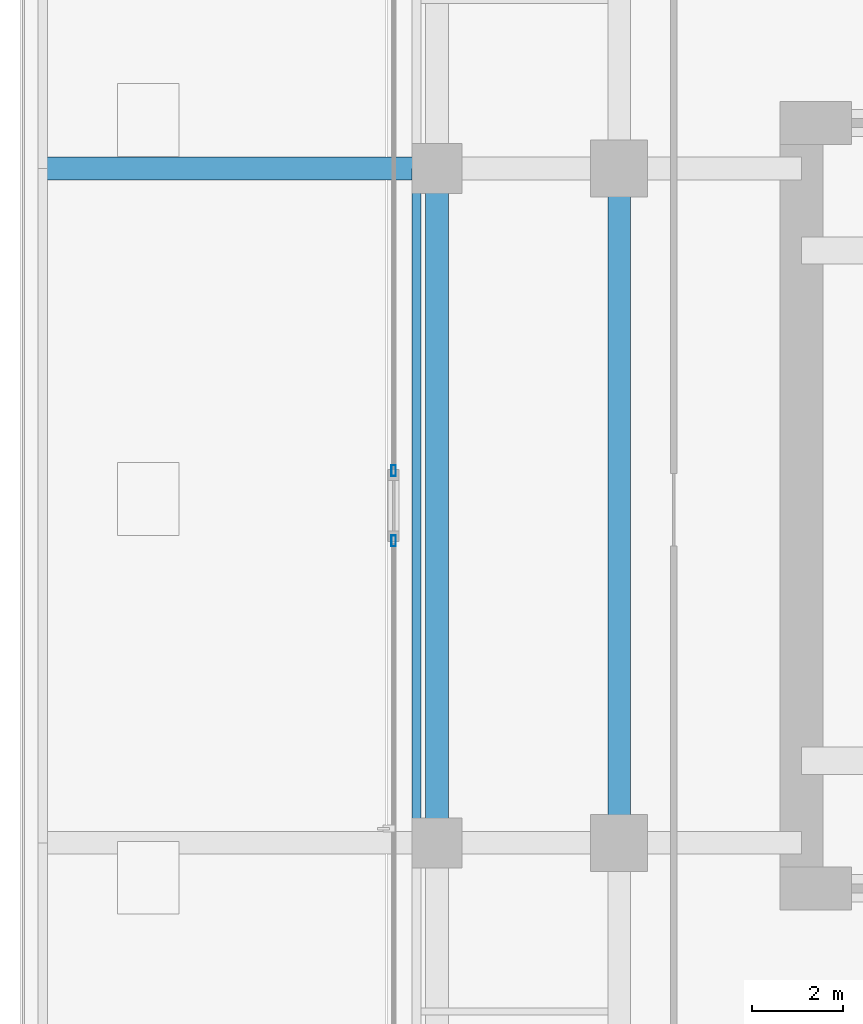
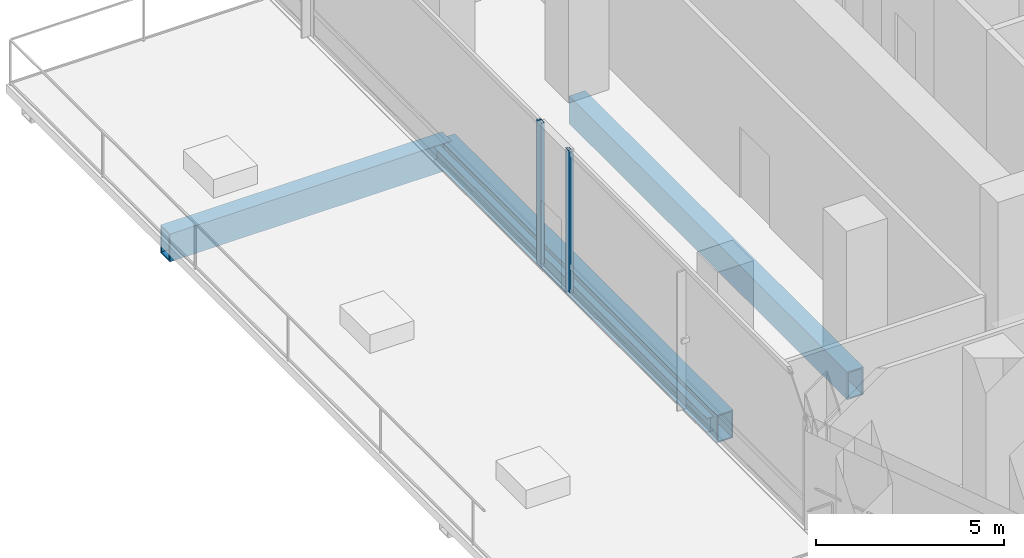
# One storey, part 5 of 28: 4 beams, 2 members, 2 elements without a shape of their own.
"""IFC4 building model written with IfcOpenShell, lengths in metres."""

import ifcopenshell
import ifcopenshell.guid

model = None  # the IFC model being written
_history = None  # IfcOwnerHistory: only IFC2X3 demands one
_inside = {}  # id of a spatial element -> (the spatial element, [elements in it])
_under = {}  # id of a project, library or spatial element -> (it, [spatial elements below it])
_declared = {}  # id of a project -> (the project, [libraries it declares])
_typed = {}  # id of a type object -> (the type object, [elements of that type])
_made_of = {}  # id of a material, layer set ... -> (it, [elements and type objects made of it])


def new_model(schema):
    """Start an empty IFC model of exactly this schema.

    Asked for "IFC4X3", IfcOpenShell would pick the latest addendum, in which some entities
    have other attributes; the version numbers below select the first issue.
    IFC2X3 requires an IfcOwnerHistory on every rooted entity: one is made here for all.
    """
    global model, _history
    if schema == "IFC4X3":
        model = ifcopenshell.file(schema_version=(4, 3, 0, 0))
    else:
        model = ifcopenshell.file(schema=schema)
    _inside.clear()
    _under.clear()
    _declared.clear()
    _typed.clear()
    _made_of.clear()
    _history = None
    if model.schema == "IFC2X3":
        org = make("IfcOrganization", Name="unknown")
        user = make(
            "IfcPersonAndOrganization",
            ThePerson=make("IfcPerson", FamilyName="unknown"),
            TheOrganization=org,
        )
        app = make(
            "IfcApplication",
            ApplicationDeveloper=org,
            Version="unknown",
            ApplicationFullName="unknown",
            ApplicationIdentifier="unknown",
        )
        _history = make(
            "IfcOwnerHistory",
            OwningUser=user,
            OwningApplication=app,
            ChangeAction="ADDED",
            CreationDate=0,
        )
    return model


def make(cls, **values):
    """One entity of the class cls with the attributes given. An attribute that is None is left unset."""
    return model.create_entity(
        cls, **{name: value for name, value in values.items() if value is not None}
    )


def rooted(cls, **values):
    """An entity with a GlobalId (a new one), such as an element, a storey or a relation."""
    return make(cls, GlobalId=ifcopenshell.guid.new(), OwnerHistory=_history, **values)


def si_unit(unit_type, name, prefix=None):
    """IfcSIUnit, for example si_unit("LENGTHUNIT", "METRE", prefix="MILLI")."""
    return make("IfcSIUnit", UnitType=unit_type, Prefix=prefix, Name=name)


def assignment(units):
    """IfcUnitAssignment: the units of a project."""
    return None if units is None else make("IfcUnitAssignment", Units=units)


def point(xyz):
    """IfcCartesianPoint."""
    return None if xyz is None else make("IfcCartesianPoint", Coordinates=xyz)


def direction(xyz):
    """IfcDirection."""
    return None if xyz is None else make("IfcDirection", DirectionRatios=xyz)


def frame(location, z_axis=None, x_axis=None):
    """IfcAxis2Placement3D, a coordinate frame: its origin and axes. An axis left out is left unset."""
    return make(
        "IfcAxis2Placement3D",
        Location=point(location),
        Axis=direction(z_axis),
        RefDirection=direction(x_axis),
    )


def frame_2d(location, x_axis=None):
    """IfcAxis2Placement2D, a coordinate frame in the plane: its origin and x axis."""
    return make(
        "IfcAxis2Placement2D", Location=point(location), RefDirection=direction(x_axis)
    )


def origin():
    """The frame at (0, 0, 0) with its axes left unset."""
    return frame((0.0, 0.0, 0.0))


def origin_2d():
    """The frame at (0, 0) in the plane with its x axis left unset."""
    return frame_2d((0.0, 0.0))


def place(relative_to, where):
    """IfcLocalPlacement: puts the frame where relative to a parent placement (None: the world)."""
    return make(
        "IfcLocalPlacement", PlacementRelTo=relative_to, RelativePlacement=where
    )


def context(
    kind, dimensions, precision=None, world=None, true_north=None, identifier=None
):
    """IfcGeometricRepresentationContext, for example the 3D "Model" context."""
    return make(
        "IfcGeometricRepresentationContext",
        ContextIdentifier=identifier,
        ContextType=kind,
        CoordinateSpaceDimension=dimensions,
        Precision=precision,
        WorldCoordinateSystem=world,
        TrueNorth=true_north,
    )


def subcontext(parent, identifier, kind, view, scale=None):
    """IfcGeometricRepresentationSubContext, for example "Body" below "Model"."""
    return make(
        "IfcGeometricRepresentationSubContext",
        ContextIdentifier=identifier,
        ContextType=kind,
        ParentContext=parent,
        TargetScale=scale,
        TargetView=view,
    )


def project(units=None, contexts=None):
    """IfcProject with its units and contexts."""
    return rooted(
        "IfcProject",
        Name="project",
        RepresentationContexts=contexts,
        UnitsInContext=assignment(units),
    )


def spatial(cls, under=None, at=None, **own):
    """A site, building, storey or space (cls), placed at a placement, below another one or the project."""
    s = rooted(cls, ObjectPlacement=at, **own)
    if under is not None:
        _under.setdefault(under.id(), (under, []))[1].append(s)
    return s


def profile(cls, at=None, kind="AREA", **sizes):
    """A parametric profile (cls). Its sizes go by their IFC names, for example OverallWidth=200.0."""
    return make(cls, ProfileType=kind, Position=at, **sizes)


def hollow_rectangle(**sizes):
    """IfcRectangleHollowProfileDef."""
    return profile("IfcRectangleHollowProfileDef", **sizes)


def i_section(**sizes):
    """IfcIShapeProfileDef."""
    return profile("IfcIShapeProfileDef", **sizes)


def extrude(swept, where, along, depth):
    """IfcExtrudedAreaSolid: the profile swept, set in the frame where, extruded along a direction by depth."""
    return make(
        "IfcExtrudedAreaSolid",
        SweptArea=swept,
        Position=where,
        ExtrudedDirection=direction(along),
        Depth=depth,
    )


def shape(context_of_items, identifier, shape_type, items):
    """IfcShapeRepresentation: the items that make up one representation, for example the "Body"."""
    return make(
        "IfcShapeRepresentation",
        ContextOfItems=context_of_items,
        RepresentationIdentifier=identifier,
        RepresentationType=shape_type,
        Items=items,
    )


def material(Name=None, Category=None):
    """IfcMaterial."""
    return make("IfcMaterial", Name=Name, Category=Category)


def layer(
    of_material, thickness, ventilated=None, Name=None, Category=None, Priority=None
):
    """IfcMaterialLayer: one layer of a wall or slab, of a material (None: an air gap)."""
    return make(
        "IfcMaterialLayer",
        Material=of_material,
        LayerThickness=thickness,
        IsVentilated=ventilated,
        Name=Name,
        Category=Category,
        Priority=Priority,
    )


def layer_set(layers, Name=None):
    """IfcMaterialLayerSet."""
    return make("IfcMaterialLayerSet", MaterialLayers=layers, LayerSetName=Name)


def material_profile(
    of_material, cross_section, Name=None, Category=None, Priority=None
):
    """IfcMaterialProfile: a cross section and its material."""
    return make(
        "IfcMaterialProfile",
        Name=Name,
        Material=of_material,
        Profile=cross_section,
        Priority=Priority,
        Category=Category,
    )


def profile_set(profiles, Name=None, composite=None):
    """IfcMaterialProfileSet."""
    return make(
        "IfcMaterialProfileSet",
        Name=Name,
        MaterialProfiles=profiles,
        CompositeProfile=composite,
    )


def made_of(thing, what):
    """Note that an element or type object is made of a material, layer set ...; save() writes the relation."""
    if what is not None:
        _made_of.setdefault(what.id(), (what, []))[1].append(thing)
    return thing


def type_object(cls, material=None, **own):
    """A type object (cls), such as IfcWallType, which elements share."""
    return made_of(rooted(cls, **own), material)


def element(
    cls,
    number,
    at=None,
    inside=None,
    cuts=None,
    type_object=None,
    material=None,
    context=None,
    identifier="Body",
    shape_type=None,
    held_by="IfcProductDefinitionShape",
    body=None,
    shapes=None,
    **own,
):
    """One element of the class cls, such as IfcWall. Its Tag is "e" and its number.

    at: its placement. inside: the storey or other place that contains it. cuts: it is an
    opening in that element (IfcRelVoidsElement). A single representation is given by context,
    identifier, shape_type and body (its items); several are given by shapes. held_by: the class
    of the entity that holds the representations. save() writes the other relations.
    """
    e = rooted(cls, Tag="e%d" % number, ObjectPlacement=at, **own)
    if body is not None:
        shapes = [shape(context, identifier, shape_type, body)]
    if shapes is not None:
        e.Representation = make(held_by, Representations=shapes)
    if inside is not None:
        _inside.setdefault(inside.id(), (inside, []))[1].append(e)
    if cuts is not None:
        rooted(
            "IfcRelVoidsElement", RelatingBuildingElement=cuts, RelatedOpeningElement=e
        )
    if type_object is not None:
        _typed.setdefault(type_object.id(), (type_object, []))[1].append(e)
    return made_of(e, material)


def aggregate(whole, parts):
    """IfcRelAggregates: a whole, such as a stair, and the parts it consists of."""
    return rooted("IfcRelAggregates", RelatingObject=whole, RelatedObjects=parts)


def save(model, path):
    """Write the relations noted so far, then the file.

    IfcRelAggregates (storeys below a building ...), IfcRelContainedInSpatialStructure (elements
    in a storey), IfcRelDefinesByType, IfcRelAssociatesMaterial and IfcRelDeclares: one each for
    every whole, place, type object, material and project.
    """
    for whole, parts in _under.values():
        aggregate(whole, parts)
    for where, things in _inside.values():
        rooted(
            "IfcRelContainedInSpatialStructure",
            RelatedElements=things,
            RelatingStructure=where,
        )
    for kind, things in _typed.values():
        rooted("IfcRelDefinesByType", RelatedObjects=things, RelatingType=kind)
    for what, things in _made_of.values():
        rooted("IfcRelAssociatesMaterial", RelatedObjects=things, RelatingMaterial=what)
    for by, libraries in _declared.values():
        rooted("IfcRelDeclares", RelatingContext=by, RelatedDefinitions=libraries)
    model.write(path)


model = new_model("IFC4")

# Units and contexts
model_context = context("Model", 3, precision=1e-05, world=origin(), true_north=direction((0.0, 1.0)))
body_context = subcontext(model_context, "Body", "Model", "MODEL_VIEW")
ifc_project = project(units=[si_unit("LENGTHUNIT", "METRE"), si_unit("AREAUNIT", "SQUARE_METRE"), si_unit("VOLUMEUNIT", "CUBIC_METRE"), si_unit("PLANEANGLEUNIT", "RADIAN"), si_unit("MASSUNIT", "GRAM", prefix="KILO")], contexts=[model_context])

# Site, building, storey
site_placement = place(None, origin())
site = spatial("IfcSite", under=ifc_project, at=site_placement, CompositionType="ELEMENT")
building_placement = place(site_placement, origin())
building = spatial("IfcBuilding", under=site, at=building_placement, Name="Khorvyn Point Tower", CompositionType="ELEMENT")
storey_placement = place(building_placement, frame((0.0, 0.0, 108.60009765625)))
storey = spatial("IfcBuildingStorey", under=building, at=storey_placement, Name="L27", CompositionType="ELEMENT", Elevation=108.60009765625)

# Curtain wall, member
ifc_material_1 = material(Name="Anodised aluminium 6063-T6 and laminated Low-E glass", Category="aluminium")
ifc_layer = layer(ifc_material_1, 0.18994140625)
ifc_layer_set = layer_set([ifc_layer], Name="Stick-Built Sky-Lobby Curtain Wall CW-SYS-05")
curtain_wall_type = type_object("IfcCurtainWallType", Name="Stick-Built Sky-Lobby Curtain Wall CW-SYS-05", PredefinedType="NOTDEFINED", material=ifc_layer_set)
curtain_wall_1_placement = place(storey_placement, origin())
curtain_wall_1 = element("IfcCurtainWall", 1, at=curtain_wall_1_placement, inside=storey, type_object=curtain_wall_type, Name="Curtain Wall", PredefinedType="NOTDEFINED")
ifc_material_2 = material(Name="Anodised aluminium 6063-T6", Category="aluminium")
ifc_material_profile_1 = material_profile(ifc_material_2, hollow_rectangle(XDim=0.10009765625, YDim=0.239990234375, WallThickness=0.0048828125, at=origin_2d()))
ifc_profile_set_1 = profile_set([ifc_material_profile_1], Name="Anodised aluminium 6063-T6 ALU-MUL-100x240")
member_type = type_object("IfcMemberType", Name="Anodised Aluminium 6063-T6 Mullion ALU-MUL-100x240", PredefinedType="MULLION", material=ifc_profile_set_1)
member_1_placement = place(storey_placement, frame((-19.75, -0.77001953125, 0.0), z_axis=(0.0, 0.0, 1.0), x_axis=(-1.0, 0.0, 0.0)))
member_1 = element("IfcMember", 2, at=member_1_placement, type_object=member_type, Name="Transom", PredefinedType="MULLION", context=body_context, shape_type="SweptSolid", body=[
    extrude(hollow_rectangle(XDim=0.10009765625, YDim=0.239990234375, WallThickness=0.0048828125, at=origin_2d()), origin(), (0.0, 0.0, 1.0), 4.579833984375),
])
aggregate(curtain_wall_1, [member_1])

curtain_wall_2_placement = place(storey_placement, origin())
curtain_wall_2 = element("IfcCurtainWall", 3, at=curtain_wall_2_placement, inside=storey, type_object=curtain_wall_type, Name="Curtain Wall", PredefinedType="NOTDEFINED")
member_2_placement = place(storey_placement, frame((-19.75, 0.77001953125, 0.0), z_axis=(0.0, 0.0, 1.0), x_axis=(-1.0, 0.0, 0.0)))
member_2 = element("IfcMember", 4, at=member_2_placement, type_object=member_type, Name="Transom", PredefinedType="MULLION", context=body_context, shape_type="SweptSolid", body=[
    extrude(hollow_rectangle(XDim=0.10009765625, YDim=0.239990234375, WallThickness=0.0048828125, at=origin_2d()), origin(), (0.0, 0.0, 1.0), 4.579833984375),
])
aggregate(curtain_wall_2, [member_2])

# Beams
ifc_material_3 = material(Name="Steel S355", Category="steel")
ifc_material_profile_2 = material_profile(ifc_material_3, i_section(OverallWidth=0.199951171875, OverallDepth=0.449951171875, WebThickness=0.009033203125, FlangeThickness=0.013916015625, at=origin_2d()))
ifc_profile_set_2 = profile_set([ifc_material_profile_2], Name="Steel S355 H450x200x9x14")
beam_type_1 = type_object("IfcBeamType", Name="Steel S355 Spandrel H450x200x9x14", PredefinedType="SPANDREL", material=ifc_profile_set_2)
beam_1_placement = place(storey_placement, frame((-19.25, -7.39990234375, -0.505126953125), z_axis=(0.0, 1.0, 0.0), x_axis=(-1.0, 0.0, 0.0)))
element("IfcBeam", 5, at=beam_1_placement, inside=storey, type_object=beam_type_1, Name="Beam", PredefinedType="SPANDREL", context=body_context, shape_type="SweptSolid", body=[
    extrude(i_section(OverallWidth=0.199951171875, OverallDepth=0.449951171875, WebThickness=0.009033203125, FlangeThickness=0.013916015625, at=origin_2d()), origin(), (0.0, 0.0, 1.0), 14.7998046875),
])
ifc_material_4 = material(Name="Steel S450", Category="steel")
ifc_material_profile_3 = material_profile(ifc_material_4, hollow_rectangle(XDim=0.5, YDim=0.89990234375, WallThickness=0.0400390625, at=origin_2d()))
ifc_profile_set_3 = profile_set([ifc_material_profile_3], Name="Steel S450 BOX900x500x40")
beam_type_2 = type_object("IfcBeamType", Name="Steel S450 Beam BOX900x500x40", PredefinedType="BEAM", material=ifc_profile_set_3)
beam_2_placement = place(storey_placement, frame((-27.449951171875, 7.39990234375, -0.72998046875), z_axis=(1.0, 0.0, 0.0), x_axis=(0.0, 1.0, 0.0)))
element("IfcBeam", 6, at=beam_2_placement, inside=storey, type_object=beam_type_2, Name="Beam", PredefinedType="BEAM", context=body_context, shape_type="SweptSolid", body=[
    extrude(hollow_rectangle(XDim=0.5, YDim=0.89990234375, WallThickness=0.0400390625, at=origin_2d()), origin(), (0.0, 0.0, 1.0), 8.64990234375),
])
for number, where, z_axis, x_axis, name in (
    (7, (-14.800048828125, -7.39990234375, -0.72998046875), (0.0, 1.0, 0.0), (-1.0, 0.0, 0.0), "L27 Radial Transfer Girder"),
    (8, (-18.800048828125, -7.39990234375, -0.72998046875), (0.0, 1.0, 0.0), (-1.0, 0.0, 0.0), "Beam"),
):
    element("IfcBeam", number, at=place(storey_placement, frame(where, z_axis=z_axis, x_axis=x_axis)), inside=storey, type_object=beam_type_2, Name=name, PredefinedType="BEAM", context=body_context, shape_type="SweptSolid", body=[
        extrude(hollow_rectangle(XDim=0.5, YDim=0.89990234375, WallThickness=0.0400390625, at=origin_2d()), origin(), (0.0, 0.0, 1.0), 14.7998046875),
    ])

save(model, "model.ifc")
